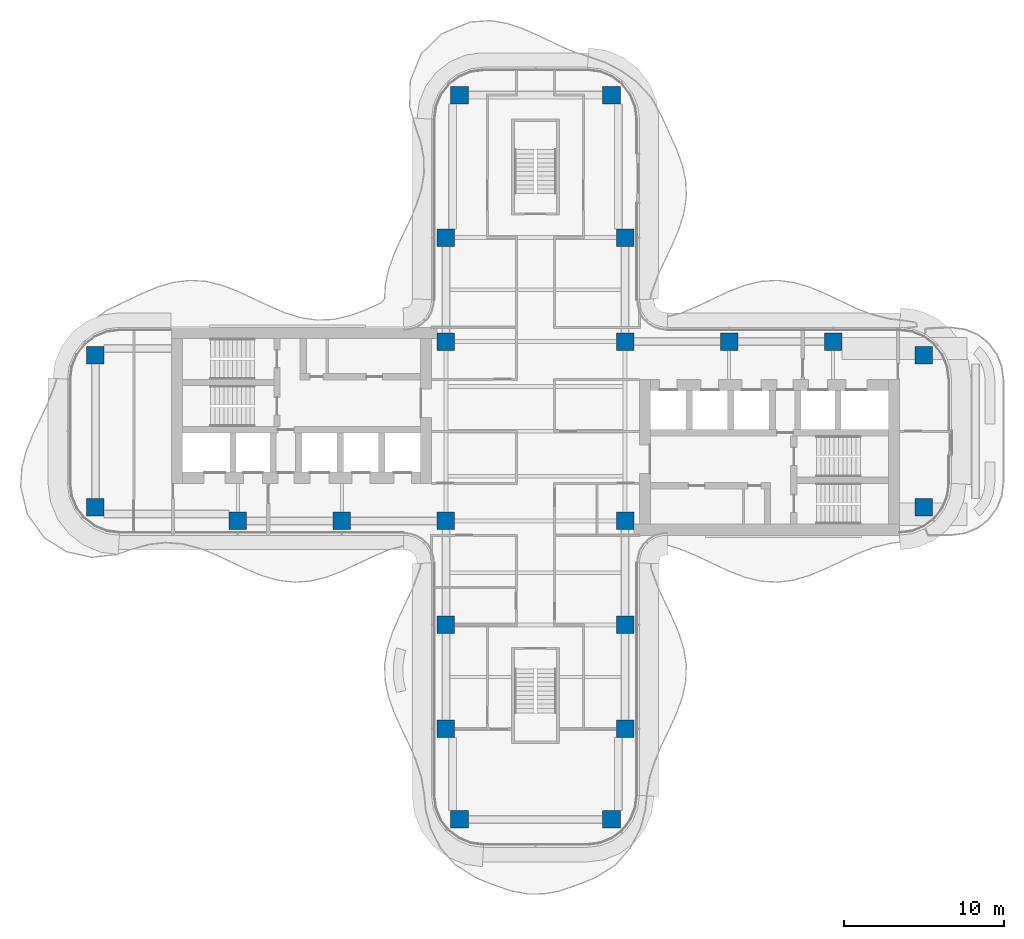
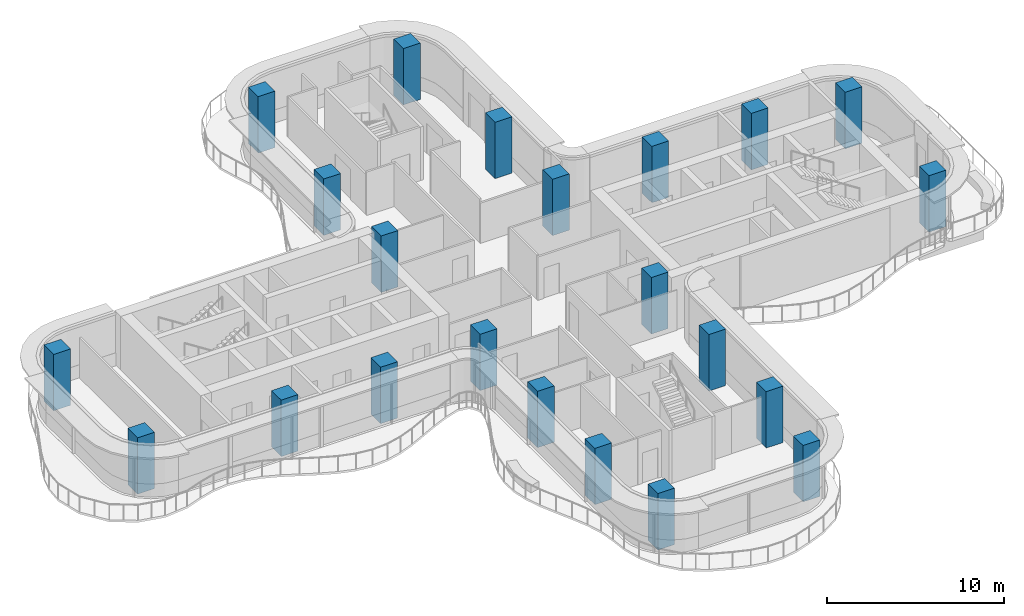
# One storey, part 1 of 17: 22 columns.
"""IFC4 building model written with IfcOpenShell, lengths in metres."""

from ifc_helpers import new_model, si_unit, direction, frame, origin, origin_2d, place, context, subcontext, project, spatial, rectangle, extrude, source, transform, mapped, material, material_profile, profile_set, type_object, element, save


model = new_model("IFC4")

# Units and contexts
model_context = context("Model", 3, precision=1e-05, world=origin(), true_north=direction((0.0, 1.0)))
body_context = subcontext(model_context, "Body", "Model", "MODEL_VIEW")
ifc_project = project(units=[si_unit("LENGTHUNIT", "METRE"), si_unit("AREAUNIT", "SQUARE_METRE"), si_unit("VOLUMEUNIT", "CUBIC_METRE"), si_unit("PLANEANGLEUNIT", "RADIAN"), si_unit("MASSUNIT", "GRAM", prefix="KILO")], contexts=[model_context])

# Site, building, storey
site_placement = place(None, origin())
site = spatial("IfcSite", under=ifc_project, at=site_placement, CompositionType="ELEMENT")
building_placement = place(site_placement, origin())
building = spatial("IfcBuilding", under=site, at=building_placement, Name="Trellis Farm Tower", CompositionType="ELEMENT")
storey_placement = place(building_placement, frame((0.0, 0.0, 220.699951171875)))
storey = spatial("IfcBuildingStorey", under=building, at=storey_placement, Name="L48", CompositionType="ELEMENT", Elevation=220.699951171875)

# Columns
ifc_material = material(Name="Concrete C60/75", Category="concrete")
ifc_material_profile = material_profile(ifc_material, rectangle(XDim=1.10009765625, YDim=1.10009765625, at=origin_2d()), Name="RC column 1100x1100 C60/75")
ifc_profile_set = profile_set([ifc_material_profile], Name="Concrete C60/75")
column_type = type_object("IfcColumnType", Name="RC column 1100x1100 C60/75", PredefinedType="COLUMN", material=ifc_profile_set)
shared_shape = source(origin(), body_context, "Body", "SweptSolid", [
    extrude(rectangle(XDim=1.10009765625, YDim=1.10009765625, at=origin_2d()), origin(), (0.0, 0.0, 1.0), 3.900146484375),
])
for number, where, z_axis, x_axis, name in (
    (1, (12.10009765625, 5.60009765625, 0.0), (0.0, 0.0, 1.0), (1.0, 0.0, 0.0), "Column"),
    (2, (18.60009765625, 5.60009765625, 0.0), (0.0, 0.0, 1.0), (1.0, 0.0, 0.0), "Column"),
    (3, (24.25, 4.75, 0.0), (0.0, 0.0, 1.0), (1.0, 0.0, 0.0), "Column"),
    (4, (24.25, -4.75, 0.0), (0.0, 0.0, 1.0), (1.0, 0.0, 0.0), "Column"),
    (5, (-5.60009765625, 12.10009765625, 0.0), (0.0, 0.0, 1.0), (1.0, 0.0, 0.0), "Column"),
    (6, (-4.75, 21.0, 0.0), (0.0, 0.0, 1.0), (1.0, 0.0, 0.0), "Column"),
    (7, (5.60009765625, 12.10009765625, 0.0), (0.0, 0.0, 1.0), (1.0, 0.0, 0.0), "Column"),
    (8, (4.75, 21.0, 0.0), (0.0, 0.0, 1.0), (1.0, 0.0, 0.0), "Column"),
    (9, (5.60009765625, 5.60009765625, 0.0), (0.0, 0.0, 1.0), (1.0, 0.0, 0.0), "Column"),
    (10, (-5.60009765625, 5.60009765625, 0.0), (0.0, 0.0, 1.0), (1.0, 0.0, 0.0), "Column"),
    (11, (5.60009765625, -5.60009765625, 0.0), (0.0, 0.0, 1.0), (1.0, 0.0, 0.0), "Column"),
    (12, (-5.60009765625, -5.60009765625, 0.0), (0.0, 0.0, 1.0), (1.0, 0.0, 0.0), "Column"),
    (13, (5.60009765625, -12.10009765625, 0.0), (0.0, 0.0, 1.0), (1.0, 0.0, 0.0), "Column"),
    (14, (5.60009765625, -18.60009765625, 0.0), (0.0, 0.0, 1.0), (1.0, 0.0, 0.0), "Column"),
    (15, (4.75, -24.25, 0.0), (0.0, 0.0, 1.0), (1.0, 0.0, 0.0), "Column"),
    (16, (-5.60009765625, -12.10009765625, 0.0), (0.0, 0.0, 1.0), (1.0, 0.0, 0.0), "Column"),
    (17, (-5.60009765625, -18.60009765625, 0.0), (0.0, 0.0, 1.0), (1.0, 0.0, 0.0), "Column"),
    (18, (-4.75, -24.25, 0.0), (0.0, 0.0, 1.0), (1.0, 0.0, 0.0), "Column"),
    (19, (-12.10009765625, -5.60009765625, 0.0), (0.0, 0.0, 1.0), (1.0, 0.0, 0.0), "Column"),
    (20, (-18.60009765625, -5.60009765625, 0.0), (0.0, 0.0, 1.0), (1.0, 0.0, 0.0), "Column"),
    (21, (-27.5, -4.75, 0.0), (0.0, 0.0, 1.0), (1.0, 0.0, 0.0), "Column"),
    (22, (-27.5, 4.75, 0.0), (0.0, 0.0, 1.0), (1.0, 0.0, 0.0), "Column"),
):
    element("IfcColumn", number, at=place(storey_placement, frame(where, z_axis=z_axis, x_axis=x_axis)), inside=storey, type_object=column_type, Name=name, PredefinedType="COLUMN", context=body_context, shape_type="MappedRepresentation", body=[
        mapped(shared_shape, transform((0.0, 0.0, 0.0))),
    ])

save(model, "model.ifc")
